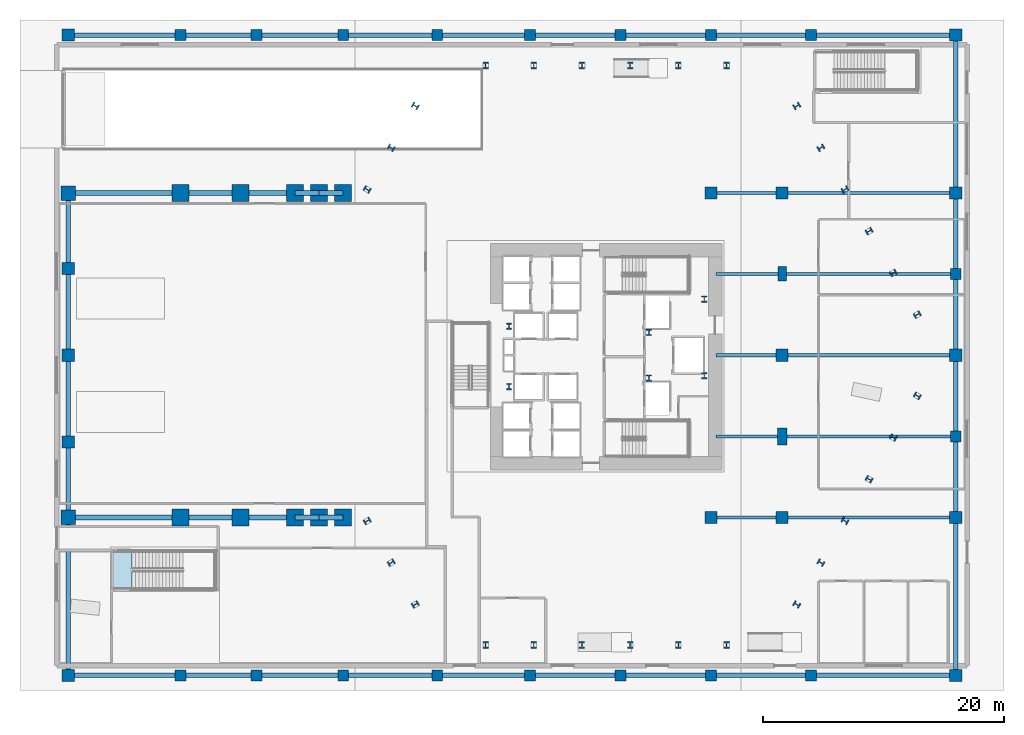
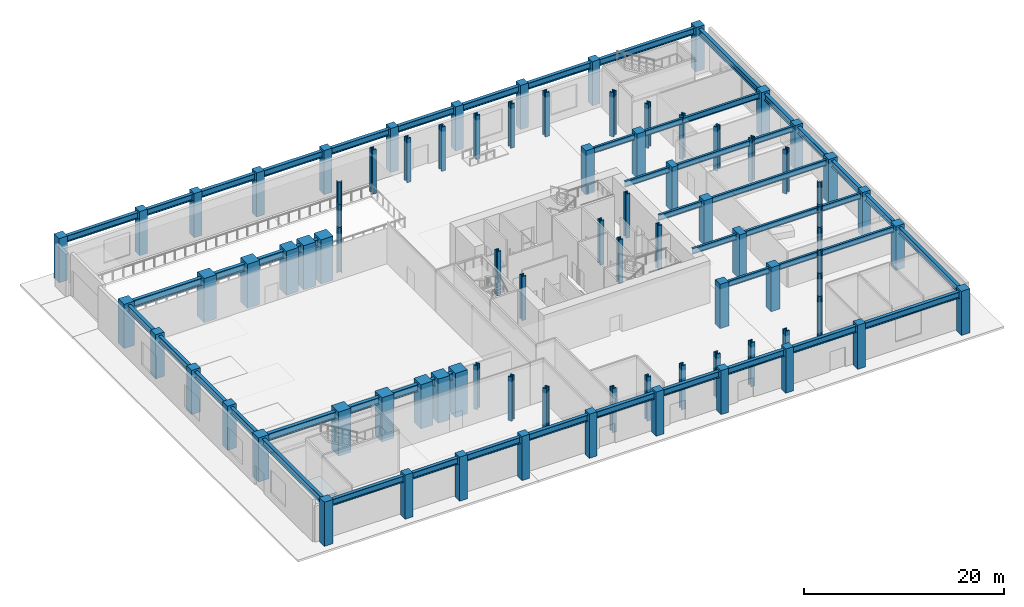
# One storey, part 1 of 18: 83 columns, 28 beams, 1 slab.
"""IFC4 building model written with IfcOpenShell, lengths in metres."""

from ifc_helpers import new_model, si_unit, direction, frame, origin, origin_2d, place, context, subcontext, project, spatial, polyline, rectangle, i_section, outline, extrude, material, layer, layer_set, material_profile, profile_set, type_object, element, save


model = new_model("IFC4")

# Units and contexts
model_context = context("Model", 3, precision=1e-05, world=origin(), true_north=direction((0.0, 1.0)))
body_context = subcontext(model_context, "Body", "Model", "MODEL_VIEW")
ifc_project = project(units=[si_unit("LENGTHUNIT", "METRE"), si_unit("AREAUNIT", "SQUARE_METRE"), si_unit("VOLUMEUNIT", "CUBIC_METRE"), si_unit("PLANEANGLEUNIT", "RADIAN"), si_unit("MASSUNIT", "GRAM", prefix="KILO")], contexts=[model_context])

# Site, building, storey
site_placement = place(None, origin())
site = spatial("IfcSite", under=ifc_project, at=site_placement, CompositionType="ELEMENT")
building_placement = place(site_placement, origin())
building = spatial("IfcBuilding", under=site, at=building_placement, Name="Valkerne Bourse Tower", CompositionType="ELEMENT")
storey_placement = place(building_placement, origin())
storey = spatial("IfcBuildingStorey", under=building, at=storey_placement, Name="L00", CompositionType="ELEMENT", Elevation=0.0)

# Columns
ifc_material_1 = material(Name="Concrete C70/85", Category="concrete")
ifc_material_profile_1 = material_profile(ifc_material_1, rectangle(XDim=1.0, YDim=1.0, at=origin_2d()), Name="RC1000X1000")
ifc_profile_set_1 = profile_set([ifc_material_profile_1], Name="Concrete C70/85")
column_type_1 = type_object("IfcColumnType", Name="COL-RC1000X1000", PredefinedType="COLUMN", material=ifc_profile_set_1)
for number, where, z_axis, x_axis, name in (
    (1, (2.199951171875, 0.449951171875, 0.0048828125), (0.0, 0.0, 1.0), (1.0, 0.0, 0.0), "L00 Podium Column PW-1"),
    (2, (2.199951171875, 19.800048828125, 0.0048828125), (0.0, 0.0, 1.0), (1.0, 0.0, 0.0), "L00 Podium Column PW-3"),
    (3, (2.199951171875, 27.0, 0.0048828125), (0.0, 0.0, 1.0), (1.0, 0.0, 0.0), "L00 Podium Column PW-4"),
    (4, (2.199951171875, 34.199951171875, 0.0048828125), (0.0, 0.0, 1.0), (1.0, 0.0, 0.0), "L00 Podium Column PW-5"),
    (5, (2.199951171875, 53.550048828125, 0.0048828125), (0.0, 0.0, 1.0), (1.0, 0.0, 0.0), "L00 Podium Column PW-7"),
    (6, (75.800048828125, 0.449951171875, 0.0048828125), (0.0, 0.0, 1.0), (1.0, 0.0, 0.0), "L00 Podium Column PS-9"),
    (7, (75.800048828125, 53.550048828125, 0.0048828125), (0.0, 0.0, 1.0), (1.0, 0.0, 0.0), "L00 Podium Column PN-9"),
    (8, (75.800048828125, 13.550048828125, 0.0048828125), (0.0, 0.0, 1.0), (1.0, 0.0, 0.0), "L00 Podium Column PE-1"),
    (9, (75.800048828125, 27.0, 0.0048828125), (0.0, 0.0, 1.0), (1.0, 0.0, 0.0), "L00 Podium Column PE-3"),
    (10, (75.800048828125, 40.449951171875, 0.0048828125), (0.0, 0.0, 1.0), (1.0, 0.0, 0.0), "L00 Podium Column PE-5"),
    (11, (55.5, 13.550048828125, 0.0048828125), (0.0, 0.0, 1.0), (1.0, 0.0, 0.0), "L00 Podium Column PI-C1"),
    (12, (55.5, 40.449951171875, 0.0048828125), (0.0, 0.0, 1.0), (1.0, 0.0, 0.0), "L00 Podium Column PI-C2"),
    (13, (61.39990234375, 13.550048828125, 0.0048828125), (0.0, 0.0, 1.0), (1.0, 0.0, 0.0), "L00 Podium Column PI-E1"),
    (14, (61.39990234375, 27.0, 0.0048828125), (0.0, 0.0, 1.0), (1.0, 0.0, 0.0), "L00 Podium Column PI-E3"),
    (15, (61.39990234375, 40.449951171875, 0.0048828125), (0.0, 0.0, 1.0), (1.0, 0.0, 0.0), "L00 Podium Column PI-E5"),
):
    element("IfcColumn", number, at=place(storey_placement, frame(where, z_axis=z_axis, x_axis=x_axis)), inside=storey, type_object=column_type_1, Name=name, PredefinedType="COLUMN", context=body_context, shape_type="SweptSolid", body=[
        extrude(rectangle(XDim=1.0, YDim=1.0, at=origin_2d()), origin(), (0.0, 0.0, 1.0), 5.39501953125),
    ])
ifc_material_profile_2 = material_profile(ifc_material_1, rectangle(XDim=1.199951171875, YDim=1.199951171875, at=origin_2d()), Name="RC1200X1200")
ifc_profile_set_2 = profile_set([ifc_material_profile_2], Name="Concrete C70/85")
column_type_2 = type_object("IfcColumnType", Name="COL-RC1200X1200", PredefinedType="COLUMN", material=ifc_profile_set_2)
for number, where, z_axis, x_axis, name in (
    (16, (2.199951171875, 13.550048828125, 0.0048828125), (0.0, 0.0, 1.0), (1.0, 0.0, 0.0), "L00 Podium Column PW-2"),
    (17, (2.199951171875, 40.449951171875, 0.0048828125), (0.0, 0.0, 1.0), (1.0, 0.0, 0.0), "L00 Podium Column PW-6"),
):
    element("IfcColumn", number, at=place(storey_placement, frame(where, z_axis=z_axis, x_axis=x_axis)), inside=storey, type_object=column_type_2, Name=name, PredefinedType="COLUMN", context=body_context, shape_type="SweptSolid", body=[
        extrude(rectangle(XDim=1.199951171875, YDim=1.199951171875, at=origin_2d()), origin(), (0.0, 0.0, 1.0), 5.39501953125),
    ])
ifc_material_profile_3 = material_profile(ifc_material_1, rectangle(XDim=1.39990234375, YDim=1.39990234375, at=origin_2d()), Name="RC1400X1400")
ifc_profile_set_3 = profile_set([ifc_material_profile_3], Name="Concrete C70/85")
column_type_3 = type_object("IfcColumnType", Name="COL-RC1400X1400", PredefinedType="COLUMN", material=ifc_profile_set_3)
for number, where, z_axis, x_axis, name in (
    (18, (11.5, 13.550048828125, 0.0048828125), (0.0, 0.0, 1.0), (1.0, 0.0, 0.0), "L00 Podium Column MC-S1"),
    (19, (11.5, 40.449951171875, 0.0048828125), (0.0, 0.0, 1.0), (1.0, 0.0, 0.0), "L00 Podium Column MC-N1"),
    (20, (16.5, 13.550048828125, 0.0048828125), (0.0, 0.0, 1.0), (1.0, 0.0, 0.0), "L00 Podium Column MC-S2"),
    (21, (16.5, 40.449951171875, 0.0048828125), (0.0, 0.0, 1.0), (1.0, 0.0, 0.0), "L00 Podium Column MC-N2"),
    (22, (20.991943359375, 13.550048828125, 0.0048828125), (0.0, 0.0, 1.0), (1.0, 0.0, 0.0), "L00 Podium Column MCH-S1"),
    (23, (20.991943359375, 40.449951171875, 0.0048828125), (0.0, 0.0, 1.0), (1.0, 0.0, 0.0), "L00 Podium Column MCH-N1"),
    (24, (22.990966796875, 13.550048828125, 0.0048828125), (0.0, 0.0, 1.0), (1.0, 0.0, 0.0), "L00 Podium Column MCH-S2"),
    (25, (22.990966796875, 40.449951171875, 0.0048828125), (0.0, 0.0, 1.0), (1.0, 0.0, 0.0), "L00 Podium Column MCH-N2"),
    (26, (24.988037109375, 13.550048828125, 0.0048828125), (0.0, 0.0, 1.0), (1.0, 0.0, 0.0), "L00 Podium Column MCH-S3"),
    (27, (24.988037109375, 40.449951171875, 0.0048828125), (0.0, 0.0, 1.0), (1.0, 0.0, 0.0), "L00 Podium Column MCH-N3"),
):
    element("IfcColumn", number, at=place(storey_placement, frame(where, z_axis=z_axis, x_axis=x_axis)), inside=storey, type_object=column_type_3, Name=name, PredefinedType="COLUMN", context=body_context, shape_type="SweptSolid", body=[
        extrude(rectangle(XDim=1.39990234375, YDim=1.39990234375, at=origin_2d()), origin(), (0.0, 0.0, 1.0), 5.39501953125),
    ])
ifc_material_profile_4 = material_profile(ifc_material_1, rectangle(XDim=0.699951171875, YDim=1.199951171875, at=origin_2d()), Name="RC700X1200")
ifc_profile_set_4 = profile_set([ifc_material_profile_4], Name="Concrete C70/85")
column_type_4 = type_object("IfcColumnType", Name="COL-RC700X1200", PredefinedType="COLUMN", material=ifc_profile_set_4)
column_1_placement = place(storey_placement, frame((61.39990234375, 33.75, 0.0048828125), z_axis=(0.0, 0.0, 1.0), x_axis=(1.0, 0.0, 0.0)))
element("IfcColumn", 28, at=column_1_placement, inside=storey, type_object=column_type_4, Name="L00 Podium Column PI-E4", PredefinedType="COLUMN", context=body_context, shape_type="SweptSolid", body=[
    extrude(rectangle(XDim=0.699951171875, YDim=1.199951171875, at=origin_2d()), origin(), (0.0, 0.0, 1.0), 5.39501953125),
])
ifc_material_profile_5 = material_profile(ifc_material_1, rectangle(XDim=0.800048828125, YDim=1.39990234375, at=origin_2d()), Name="RC800X1400")
ifc_profile_set_5 = profile_set([ifc_material_profile_5], Name="Concrete C70/85")
column_type_5 = type_object("IfcColumnType", Name="COL-RC800X1400", PredefinedType="COLUMN", material=ifc_profile_set_5)
column_2_placement = place(storey_placement, frame((61.39990234375, 20.25, 0.0048828125), z_axis=(0.0, 0.0, 1.0), x_axis=(1.0, 0.0, 0.0)))
element("IfcColumn", 29, at=column_2_placement, inside=storey, type_object=column_type_5, Name="L00 Podium Column PI-E2", PredefinedType="COLUMN", context=body_context, shape_type="SweptSolid", body=[
    extrude(rectangle(XDim=0.800048828125, YDim=1.39990234375, at=origin_2d()), origin(), (0.0, 0.0, 1.0), 5.39501953125),
])
ifc_material_profile_6 = material_profile(ifc_material_1, rectangle(XDim=0.89990234375, YDim=0.89990234375, at=origin_2d()), Name="RC900X900")
ifc_profile_set_6 = profile_set([ifc_material_profile_6], Name="Concrete C70/85")
column_type_6 = type_object("IfcColumnType", Name="COL-RC900X900", PredefinedType="COLUMN", material=ifc_profile_set_6)
for number, where, z_axis, x_axis, name in (
    (30, (11.5, 0.449951171875, 0.0048828125), (0.0, 0.0, 1.0), (1.0, 0.0, 0.0), "L00 Podium Column PS-1"),
    (31, (17.800048828125, 0.449951171875, 0.0048828125), (0.0, 0.0, 1.0), (1.0, 0.0, 0.0), "L00 Podium Column PS-2"),
    (32, (25.0, 0.449951171875, 0.0048828125), (0.0, 0.0, 1.0), (1.0, 0.0, 0.0), "L00 Podium Column PS-3"),
    (33, (32.800048828125, 0.449951171875, 0.0048828125), (0.0, 0.0, 1.0), (1.0, 0.0, 0.0), "L00 Podium Column PS-4"),
    (34, (40.5, 0.449951171875, 0.0048828125), (0.0, 0.0, 1.0), (1.0, 0.0, 0.0), "L00 Podium Column PS-5"),
    (35, (48.0, 0.449951171875, 0.0048828125), (0.0, 0.0, 1.0), (1.0, 0.0, 0.0), "L00 Podium Column PS-6"),
    (36, (55.5, 0.449951171875, 0.0048828125), (0.0, 0.0, 1.0), (1.0, 0.0, 0.0), "L00 Podium Column PS-7"),
    (37, (63.800048828125, 0.449951171875, 0.0048828125), (0.0, 0.0, 1.0), (1.0, 0.0, 0.0), "L00 Podium Column PS-8"),
    (38, (11.5, 53.550048828125, 0.0048828125), (0.0, 0.0, 1.0), (1.0, 0.0, 0.0), "L00 Podium Column PN-1"),
    (39, (17.800048828125, 53.550048828125, 0.0048828125), (0.0, 0.0, 1.0), (1.0, 0.0, 0.0), "L00 Podium Column PN-2"),
    (40, (25.0, 53.550048828125, 0.0048828125), (0.0, 0.0, 1.0), (1.0, 0.0, 0.0), "L00 Podium Column PN-3"),
    (41, (32.800048828125, 53.550048828125, 0.0048828125), (0.0, 0.0, 1.0), (1.0, 0.0, 0.0), "L00 Podium Column PN-4"),
    (42, (40.5, 53.550048828125, 0.0048828125), (0.0, 0.0, 1.0), (1.0, 0.0, 0.0), "L00 Podium Column PN-5"),
    (43, (48.0, 53.550048828125, 0.0048828125), (0.0, 0.0, 1.0), (1.0, 0.0, 0.0), "L00 Podium Column PN-6"),
    (44, (55.5, 53.550048828125, 0.0048828125), (0.0, 0.0, 1.0), (1.0, 0.0, 0.0), "L00 Podium Column PN-7"),
    (45, (63.800048828125, 53.550048828125, 0.0048828125), (0.0, 0.0, 1.0), (1.0, 0.0, 0.0), "L00 Podium Column PN-8"),
    (46, (75.800048828125, 20.25, 0.0048828125), (0.0, 0.0, 1.0), (1.0, 0.0, 0.0), "L00 Podium Column PE-2"),
    (47, (75.800048828125, 33.75, 0.0048828125), (0.0, 0.0, 1.0), (1.0, 0.0, 0.0), "L00 Podium Column PE-4"),
):
    element("IfcColumn", number, at=place(storey_placement, frame(where, z_axis=z_axis, x_axis=x_axis)), inside=storey, type_object=column_type_6, Name=name, PredefinedType="COLUMN", context=body_context, shape_type="SweptSolid", body=[
        extrude(rectangle(XDim=0.89990234375, YDim=0.89990234375, at=origin_2d()), origin(), (0.0, 0.0, 1.0), 5.39501953125),
    ])
ifc_material_2 = material(Name="Steel ASTM A913 Grade 65", Category="steel")
ifc_material_profile_7 = material_profile(ifc_material_2, i_section(OverallWidth=0.44189453125, OverallDepth=0.531005859375, WebThickness=0.06591796875, FlangeThickness=0.105712890625, FilletRadius=0.030517578125, at=origin_2d()), Name="W14X605")
ifc_profile_set_7 = profile_set([ifc_material_profile_7], Name="Steel ASTM A913 Grade 65")
column_type_7 = type_object("IfcColumnType", Name="COL-W14X605", PredefinedType="COLUMN", material=ifc_profile_set_7)
for number, where, z_axis, x_axis, name in (
    (48, (38.75, 24.39990234375, 0.0048828125), (0.0, 0.0, 1.0), (1.0, 0.0, 0.0), "L00 Core Frame Column CC-SW"),
    (49, (38.75, 29.39990234375, 0.0048828125), (0.0, 0.0, 1.0), (1.0, 0.0, 0.0), "L00 Core Frame Column CC-NW"),
    (50, (50.35009765625, 25.10009765625, 0.0048828125), (0.0, 0.0, 1.0), (1.0, 0.0, 0.0), "L00 Core Frame Column CC-CE1"),
    (51, (50.35009765625, 28.89990234375, 0.0048828125), (0.0, 0.0, 1.0), (1.0, 0.0, 0.0), "L00 Core Frame Column CC-CE2"),
    (52, (54.949951171875, 25.300048828125, 0.0048828125), (0.0, 0.0, 1.0), (1.0, 0.0, 0.0), "L00 Core Frame Column CC-SE"),
    (53, (54.949951171875, 31.64990234375, 0.0048828125), (0.0, 0.0, 1.0), (1.0, 0.0, 0.0), "L00 Core Frame Column CC-NE"),
):
    element("IfcColumn", number, at=place(storey_placement, frame(where, z_axis=z_axis, x_axis=x_axis)), inside=storey, type_object=column_type_7, Name=name, PredefinedType="COLUMN", context=body_context, shape_type="SweptSolid", body=[
        extrude(i_section(OverallWidth=0.44189453125, OverallDepth=0.531005859375, WebThickness=0.06591796875, FlangeThickness=0.105712890625, FilletRadius=0.030517578125, at=origin_2d()), origin(), (0.0, 0.0, 1.0), 5.39501953125),
    ])
ifc_material_profile_8 = material_profile(ifc_material_2, i_section(OverallWidth=0.45458984375, OverallDepth=0.569091796875, WebThickness=0.077880859375, FlangeThickness=0.124755859375, FilletRadius=0.030517578125, at=origin_2d()), Name="W14X730")
ifc_profile_set_8 = profile_set([ifc_material_profile_8], Name="Steel ASTM A913 Grade 65")
column_type_8 = type_object("IfcColumnType", Name="COL-W14X730", PredefinedType="COLUMN", material=ifc_profile_set_8)
for number, where, z_axis, x_axis, name in (
    (54, (72.607421875, 30.364501953125, 0.0048828125), (0.0, 0.0, 1.0), (-0.5, 0.866025403784, 0.0), "L00 Tower Base Mega-Column Z1B-00"),
    (55, (70.609619140625, 33.8251953125, 0.0048828125), (0.0, 0.0, 1.0), (-0.5, 0.866025403784, 0.0), "L00 Tower Base Mega-Column Z1B-01"),
    (56, (68.611572265625, 37.285888671875, 0.0048828125), (0.0, 0.0, 1.0), (-0.5, 0.866025403784, 0.0), "L00 Tower Base Mega-Column Z1B-02"),
    (57, (66.613525390625, 40.746337890625, 0.0048828125), (0.0, 0.0, 1.0), (-0.5, 0.866025403784, 0.0), "L00 Tower Base Mega-Column Z1B-03"),
    (58, (64.615478515625, 44.20703125, 0.0048828125), (0.0, 0.0, 1.0), (-0.5, 0.866025403784, 0.0), "L00 Tower Base Mega-Column Z1B-04"),
    (59, (62.617431640625, 47.667724609375, 0.0048828125), (0.0, 0.0, 1.0), (-0.5, 0.866025403784, 0.0), "L00 Tower Base Mega-Column Z1B-05"),
    (60, (56.7900390625, 51.0322265625, 0.0048828125), (0.0, 0.0, 1.0), (-1.0, 0.0, 0.0), "L00 Tower Base Mega-Column Z1B-06"),
    (61, (52.7939453125, 51.0322265625, 0.0048828125), (0.0, 0.0, 1.0), (-1.0, 0.0, 0.0), "L00 Tower Base Mega-Column Z1B-07"),
    (62, (48.798095703125, 51.0322265625, 0.0048828125), (0.0, 0.0, 1.0), (-1.0, 0.0, 0.0), "L00 Tower Base Mega-Column Z1B-08"),
    (63, (44.802001953125, 51.0322265625, 0.0048828125), (0.0, 0.0, 1.0), (-1.0, 0.0, 0.0), "L00 Tower Base Mega-Column Z1B-09"),
    (64, (40.805908203125, 51.0322265625, 0.0048828125), (0.0, 0.0, 1.0), (-1.0, 0.0, 0.0), "L00 Tower Base Mega-Column Z1B-10"),
    (65, (36.81005859375, 51.0322265625, 0.0048828125), (0.0, 0.0, 1.0), (-1.0, 0.0, 0.0), "L00 Tower Base Mega-Column Z1B-11"),
    (66, (30.982421875, 47.667724609375, 0.0048828125), (0.0, 0.0, 1.0), (-0.5, -0.866025403784, 0.0), "L00 Tower Base Mega-Column Z1B-12"),
    (67, (28.984619140625, 44.20703125, 0.0048828125), (0.0, 0.0, 1.0), (-0.5, -0.866025403784, 0.0), "L00 Tower Base Mega-Column Z1B-13"),
    (68, (26.986572265625, 40.746337890625, 0.0048828125), (0.0, 0.0, 1.0), (-0.5, -0.866025403784, 0.0), "L00 Tower Base Mega-Column Z1B-14"),
    (69, (26.986572265625, 13.253662109375, 0.0048828125), (0.0, 0.0, 1.0), (0.5, -0.866025403784, 0.0), "L00 Tower Base Mega-Column Z1B-21"),
    (70, (36.81005859375, 2.9677734375, 0.0048828125), (0.0, 0.0, 1.0), (1.0, 0.0, 0.0), "L00 Tower Base Mega-Column Z1B-24"),
    (71, (40.805908203125, 2.9677734375, 0.0048828125), (0.0, 0.0, 1.0), (1.0, 0.0, 0.0), "L00 Tower Base Mega-Column Z1B-25"),
    (72, (44.802001953125, 2.9677734375, 0.0048828125), (0.0, 0.0, 1.0), (1.0, 0.0, 0.0), "L00 Tower Base Mega-Column Z1B-26"),
    (73, (48.798095703125, 2.9677734375, 0.0048828125), (0.0, 0.0, 1.0), (1.0, 0.0, 0.0), "L00 Tower Base Mega-Column Z1B-27"),
    (74, (52.7939453125, 2.9677734375, 0.0048828125), (0.0, 0.0, 1.0), (1.0, 0.0, 0.0), "L00 Tower Base Mega-Column Z1B-28"),
    (75, (56.7900390625, 2.9677734375, 0.0048828125), (0.0, 0.0, 1.0), (1.0, 0.0, 0.0), "L00 Tower Base Mega-Column Z1B-29"),
    (76, (66.613525390625, 13.253662109375, 0.0048828125), (0.0, 0.0, 1.0), (0.5, 0.866025403784, 0.0), "L00 Tower Base Mega-Column Z1B-32"),
    (77, (68.611572265625, 16.714111328125, 0.0048828125), (0.0, 0.0, 1.0), (0.5, 0.866025403784, 0.0), "L00 Tower Base Mega-Column Z1B-33"),
    (78, (70.609619140625, 20.1748046875, 0.0048828125), (0.0, 0.0, 1.0), (0.5, 0.866025403784, 0.0), "L00 Tower Base Mega-Column Z1B-34"),
    (79, (72.607421875, 23.635498046875, 0.0048828125), (0.0, 0.0, 1.0), (0.5, 0.866025403784, 0.0), "L00 Tower Base Mega-Column Z1B-35"),
):
    element("IfcColumn", number, at=place(storey_placement, frame(where, z_axis=z_axis, x_axis=x_axis)), inside=storey, type_object=column_type_8, Name=name, PredefinedType="COLUMN", context=body_context, shape_type="SweptSolid", body=[
        extrude(i_section(OverallWidth=0.45458984375, OverallDepth=0.569091796875, WebThickness=0.077880859375, FlangeThickness=0.124755859375, FilletRadius=0.030517578125, at=origin_2d()), origin(), (0.0, 0.0, 1.0), 5.39013671875),
    ])
for number, where, z_axis, x_axis, name in (
    (80, (28.984619140625, 9.79296875, 0.0), (0.0, 0.0, 1.0), (0.5, -0.866025403784, 0.0), "L00 Tower Base Mega-Column Z1B-22"),
    (81, (30.982421875, 6.332275390625, 0.0), (0.0, 0.0, 1.0), (0.5, -0.866025403784, 0.0), "L00 Tower Base Mega-Column Z1B-23"),
    (82, (62.617431640625, 6.332275390625, 0.0), (0.0, 0.0, 1.0), (0.5, 0.866025403784, 0.0), "L00 Tower Base Mega-Column Z1B-30"),
    (83, (64.615478515625, 9.79296875, 0.0), (0.0, 0.0, 1.0), (0.5, 0.866025403784, 0.0), "L00 Tower Base Mega-Column Z1B-31"),
):
    element("IfcColumn", number, at=place(storey_placement, frame(where, z_axis=z_axis, x_axis=x_axis)), inside=storey, type_object=column_type_8, Name=name, PredefinedType="COLUMN", context=body_context, shape_type="SweptSolid", body=[
        extrude(i_section(OverallWidth=0.45458984375, OverallDepth=0.569091796875, WebThickness=0.077880859375, FlangeThickness=0.124755859375, FilletRadius=0.030517578125, at=origin_2d()), origin(), (0.0, 0.0, 1.0), 5.39501953125),
    ])

# Beams
ifc_material_3 = material(Name="Steel ASTM A992", Category="steel")
ifc_material_profile_9 = material_profile(ifc_material_3, i_section(OverallWidth=0.255859375, OverallDepth=0.693359375, WebThickness=0.014404296875, FlangeThickness=0.023681640625, FilletRadius=0.02294921875, at=origin_2d()), Name="W27X114")
ifc_profile_set_9 = profile_set([ifc_material_profile_9], Name="Steel ASTM A992")
beam_type_1 = type_object("IfcBeamType", Name="BM-W27X114", PredefinedType="BEAM", material=ifc_profile_set_9)
beam_1_placement = place(storey_placement, frame((55.5, 13.550048828125, 4.813232421875), z_axis=(1.0, 0.0, 0.0), x_axis=(0.0, 1.0, 0.0)))
element("IfcBeam", 84, at=beam_1_placement, inside=storey, type_object=beam_type_1, Name="L00 East Wing Floor Girder 1 Y13", PredefinedType="BEAM", context=body_context, shape_type="SweptSolid", body=[
    extrude(i_section(OverallWidth=0.255859375, OverallDepth=0.693359375, WebThickness=0.014404296875, FlangeThickness=0.023681640625, FilletRadius=0.02294921875, at=origin_2d()), origin(), (0.0, 0.0, 1.0), 5.89990234375),
])
beam_2_placement = place(storey_placement, frame((61.39990234375, 13.550048828125, 4.813232421875), z_axis=(1.0, 0.0, 0.0), x_axis=(0.0, 1.0, 0.0)))
element("IfcBeam", 85, at=beam_2_placement, inside=storey, type_object=beam_type_1, Name="L00 East Wing Floor Girder 2 Y13", PredefinedType="BEAM", context=body_context, shape_type="SweptSolid", body=[
    extrude(i_section(OverallWidth=0.255859375, OverallDepth=0.693359375, WebThickness=0.014404296875, FlangeThickness=0.023681640625, FilletRadius=0.02294921875, at=origin_2d()), origin(), (0.0, 0.0, 1.0), 14.400146484375),
])
beam_3_placement = place(storey_placement, frame((55.89990234375, 20.25, 4.813232421875), z_axis=(1.0, 0.0, 0.0), x_axis=(0.0, 1.0, 0.0)))
element("IfcBeam", 86, at=beam_3_placement, inside=storey, type_object=beam_type_1, Name="L00 East Wing Floor Girder 1 Y20", PredefinedType="BEAM", context=body_context, shape_type="SweptSolid", body=[
    extrude(i_section(OverallWidth=0.255859375, OverallDepth=0.693359375, WebThickness=0.014404296875, FlangeThickness=0.023681640625, FilletRadius=0.02294921875, at=origin_2d()), origin(), (0.0, 0.0, 1.0), 5.5),
])
beam_4_placement = place(storey_placement, frame((61.39990234375, 20.25, 4.813232421875), z_axis=(1.0, 0.0, 0.0), x_axis=(0.0, 1.0, 0.0)))
element("IfcBeam", 87, at=beam_4_placement, inside=storey, type_object=beam_type_1, Name="L00 East Wing Floor Girder 2 Y20", PredefinedType="BEAM", context=body_context, shape_type="SweptSolid", body=[
    extrude(i_section(OverallWidth=0.255859375, OverallDepth=0.693359375, WebThickness=0.014404296875, FlangeThickness=0.023681640625, FilletRadius=0.02294921875, at=origin_2d()), origin(), (0.0, 0.0, 1.0), 14.400146484375),
])
beam_5_placement = place(storey_placement, frame((55.89990234375, 27.0, 4.813232421875), z_axis=(1.0, 0.0, 0.0), x_axis=(0.0, 1.0, 0.0)))
element("IfcBeam", 88, at=beam_5_placement, inside=storey, type_object=beam_type_1, Name="L00 East Wing Floor Girder 1 Y27", PredefinedType="BEAM", context=body_context, shape_type="SweptSolid", body=[
    extrude(i_section(OverallWidth=0.255859375, OverallDepth=0.693359375, WebThickness=0.014404296875, FlangeThickness=0.023681640625, FilletRadius=0.02294921875, at=origin_2d()), origin(), (0.0, 0.0, 1.0), 5.5),
])
beam_6_placement = place(storey_placement, frame((61.39990234375, 27.0, 4.813232421875), z_axis=(1.0, 0.0, 0.0), x_axis=(0.0, 1.0, 0.0)))
element("IfcBeam", 89, at=beam_6_placement, inside=storey, type_object=beam_type_1, Name="L00 East Wing Floor Girder 2 Y27", PredefinedType="BEAM", context=body_context, shape_type="SweptSolid", body=[
    extrude(i_section(OverallWidth=0.255859375, OverallDepth=0.693359375, WebThickness=0.014404296875, FlangeThickness=0.023681640625, FilletRadius=0.02294921875, at=origin_2d()), origin(), (0.0, 0.0, 1.0), 14.400146484375),
])
beam_7_placement = place(storey_placement, frame((55.89990234375, 33.75, 4.813232421875), z_axis=(1.0, 0.0, 0.0), x_axis=(0.0, 1.0, 0.0)))
element("IfcBeam", 90, at=beam_7_placement, inside=storey, type_object=beam_type_1, Name="L00 East Wing Floor Girder 1 Y33", PredefinedType="BEAM", context=body_context, shape_type="SweptSolid", body=[
    extrude(i_section(OverallWidth=0.255859375, OverallDepth=0.693359375, WebThickness=0.014404296875, FlangeThickness=0.023681640625, FilletRadius=0.02294921875, at=origin_2d()), origin(), (0.0, 0.0, 1.0), 5.5),
])
beam_8_placement = place(storey_placement, frame((61.39990234375, 33.75, 4.813232421875), z_axis=(1.0, 0.0, 0.0), x_axis=(0.0, 1.0, 0.0)))
element("IfcBeam", 91, at=beam_8_placement, inside=storey, type_object=beam_type_1, Name="L00 East Wing Floor Girder 2 Y33", PredefinedType="BEAM", context=body_context, shape_type="SweptSolid", body=[
    extrude(i_section(OverallWidth=0.255859375, OverallDepth=0.693359375, WebThickness=0.014404296875, FlangeThickness=0.023681640625, FilletRadius=0.02294921875, at=origin_2d()), origin(), (0.0, 0.0, 1.0), 14.400146484375),
])
beam_9_placement = place(storey_placement, frame((55.5, 40.449951171875, 4.813232421875), z_axis=(1.0, 0.0, 0.0), x_axis=(0.0, 1.0, 0.0)))
element("IfcBeam", 92, at=beam_9_placement, inside=storey, type_object=beam_type_1, Name="L00 East Wing Floor Girder 1 Y40", PredefinedType="BEAM", context=body_context, shape_type="SweptSolid", body=[
    extrude(i_section(OverallWidth=0.255859375, OverallDepth=0.693359375, WebThickness=0.014404296875, FlangeThickness=0.023681640625, FilletRadius=0.02294921875, at=origin_2d()), origin(), (0.0, 0.0, 1.0), 5.89990234375),
])
beam_10_placement = place(storey_placement, frame((61.39990234375, 40.449951171875, 4.813232421875), z_axis=(1.0, 0.0, 0.0), x_axis=(0.0, 1.0, 0.0)))
element("IfcBeam", 93, at=beam_10_placement, inside=storey, type_object=beam_type_1, Name="L00 East Wing Floor Girder 2 Y40", PredefinedType="BEAM", context=body_context, shape_type="SweptSolid", body=[
    extrude(i_section(OverallWidth=0.255859375, OverallDepth=0.693359375, WebThickness=0.014404296875, FlangeThickness=0.023681640625, FilletRadius=0.02294921875, at=origin_2d()), origin(), (0.0, 0.0, 1.0), 14.400146484375),
])
ifc_material_profile_10 = material_profile(ifc_material_3, i_section(OverallWidth=0.383544921875, OverallDepth=0.784912109375, WebThickness=0.019775390625, FlangeThickness=0.033447265625, FilletRadius=0.025390625, at=origin_2d()), Name="W30X211")
ifc_profile_set_10 = profile_set([ifc_material_profile_10], Name="Steel ASTM A992")
beam_type_2 = type_object("IfcBeamType", Name="BM-W30X211", PredefinedType="SPANDREL", material=ifc_profile_set_10)
beam_11_placement = place(storey_placement, frame((2.199951171875, 0.449951171875, 4.767578125), z_axis=(1.0, 0.0, 0.0), x_axis=(0.0, 1.0, 0.0)))
element("IfcBeam", 94, at=beam_11_placement, inside=storey, type_object=beam_type_2, Name="L00 Podium Spandrel Girder S1", PredefinedType="SPANDREL", context=body_context, shape_type="SweptSolid", body=[
    extrude(i_section(OverallWidth=0.383544921875, OverallDepth=0.784912109375, WebThickness=0.019775390625, FlangeThickness=0.033447265625, FilletRadius=0.025390625, at=origin_2d()), origin(), (0.0, 0.0, 1.0), 22.800048828125),
])
beam_12_placement = place(storey_placement, frame((25.0, 0.449951171875, 4.767578125), z_axis=(1.0, 0.0, 0.0), x_axis=(0.0, 1.0, 0.0)))
element("IfcBeam", 95, at=beam_12_placement, inside=storey, type_object=beam_type_2, Name="L00 Podium Spandrel Girder S2", PredefinedType="SPANDREL", context=body_context, shape_type="SweptSolid", body=[
    extrude(i_section(OverallWidth=0.383544921875, OverallDepth=0.784912109375, WebThickness=0.019775390625, FlangeThickness=0.033447265625, FilletRadius=0.025390625, at=origin_2d()), origin(), (0.0, 0.0, 1.0), 23.0),
])
beam_13_placement = place(storey_placement, frame((48.0, 0.449951171875, 4.767578125), z_axis=(1.0, 0.0, 0.0), x_axis=(0.0, 1.0, 0.0)))
element("IfcBeam", 96, at=beam_13_placement, inside=storey, type_object=beam_type_2, Name="L00 Podium Spandrel Girder S3", PredefinedType="SPANDREL", context=body_context, shape_type="SweptSolid", body=[
    extrude(i_section(OverallWidth=0.383544921875, OverallDepth=0.784912109375, WebThickness=0.019775390625, FlangeThickness=0.033447265625, FilletRadius=0.025390625, at=origin_2d()), origin(), (0.0, 0.0, 1.0), 27.800048828125),
])
beam_14_placement = place(storey_placement, frame((2.199951171875, 53.550048828125, 4.767578125), z_axis=(1.0, 0.0, 0.0), x_axis=(0.0, 1.0, 0.0)))
element("IfcBeam", 97, at=beam_14_placement, inside=storey, type_object=beam_type_2, Name="L00 Podium Spandrel Girder N1", PredefinedType="SPANDREL", context=body_context, shape_type="SweptSolid", body=[
    extrude(i_section(OverallWidth=0.383544921875, OverallDepth=0.784912109375, WebThickness=0.019775390625, FlangeThickness=0.033447265625, FilletRadius=0.025390625, at=origin_2d()), origin(), (0.0, 0.0, 1.0), 38.300048828125),
])
beam_15_placement = place(storey_placement, frame((40.5, 53.550048828125, 4.767578125), z_axis=(1.0, 0.0, 0.0), x_axis=(0.0, 1.0, 0.0)))
element("IfcBeam", 98, at=beam_15_placement, inside=storey, type_object=beam_type_2, Name="L00 Podium Spandrel Girder N2", PredefinedType="SPANDREL", context=body_context, shape_type="SweptSolid", body=[
    extrude(i_section(OverallWidth=0.383544921875, OverallDepth=0.784912109375, WebThickness=0.019775390625, FlangeThickness=0.033447265625, FilletRadius=0.025390625, at=origin_2d()), origin(), (0.0, 0.0, 1.0), 35.300048828125),
])
for number, where, z_axis, x_axis, name in (
    (99, (75.800048828125, 0.449951171875, 4.767578125), (0.0, 1.0, 0.0), (-1.0, 0.0, 0.0), "L00 Podium Spandrel Girder E1"),
    (100, (75.800048828125, 27.0, 4.767578125), (0.0, 1.0, 0.0), (-1.0, 0.0, 0.0), "L00 Podium Spandrel Girder E2"),
):
    element("IfcBeam", number, at=place(storey_placement, frame(where, z_axis=z_axis, x_axis=x_axis)), inside=storey, type_object=beam_type_2, Name=name, PredefinedType="SPANDREL", context=body_context, shape_type="SweptSolid", body=[
        extrude(i_section(OverallWidth=0.383544921875, OverallDepth=0.784912109375, WebThickness=0.019775390625, FlangeThickness=0.033447265625, FilletRadius=0.025390625, at=origin_2d()), origin(), (0.0, 0.0, 1.0), 26.550048828125),
    ])
beam_16_placement = place(storey_placement, frame((2.199951171875, 0.449951171875, 4.767578125), z_axis=(0.0, 1.0, 0.0), x_axis=(-1.0, 0.0, 0.0)))
element("IfcBeam", 101, at=beam_16_placement, inside=storey, type_object=beam_type_2, Name="L00 Podium Spandrel Girder W1", PredefinedType="SPANDREL", context=body_context, shape_type="SweptSolid", body=[
    extrude(i_section(OverallWidth=0.383544921875, OverallDepth=0.784912109375, WebThickness=0.019775390625, FlangeThickness=0.033447265625, FilletRadius=0.025390625, at=origin_2d()), origin(), (0.0, 0.0, 1.0), 40.0),
])
ifc_material_profile_11 = material_profile(ifc_material_3, i_section(OverallWidth=0.40380859375, OverallDepth=0.86865234375, WebThickness=0.02099609375, FlangeThickness=0.03564453125, FilletRadius=0.025390625, at=origin_2d()), Name="W33X241")
ifc_profile_set_11 = profile_set([ifc_material_profile_11], Name="Steel ASTM A992")
beam_type_3 = type_object("IfcBeamType", Name="BM-W33X241", PredefinedType="BEAM", material=ifc_profile_set_11)
for number, where, z_axis, x_axis, name in (
    (102, (2.199951171875, 13.550048828125, 4.7255859375), (1.0, 0.0, 0.0), (0.0, 1.0, 0.0), "L00 Exchange Hall South Frame Girder 1"),
    (103, (2.199951171875, 40.449951171875, 4.7255859375), (1.0, 0.0, 0.0), (0.0, 1.0, 0.0), "L00 Exchange Hall North Frame Girder 1"),
):
    element("IfcBeam", number, at=place(storey_placement, frame(where, z_axis=z_axis, x_axis=x_axis)), inside=storey, type_object=beam_type_3, Name=name, PredefinedType="BEAM", context=body_context, shape_type="SweptSolid", body=[
        extrude(i_section(OverallWidth=0.40380859375, OverallDepth=0.86865234375, WebThickness=0.02099609375, FlangeThickness=0.03564453125, FilletRadius=0.025390625, at=origin_2d()), origin(), (0.0, 0.0, 1.0), 9.300048828125),
    ])
for number, where, z_axis, x_axis, name in (
    (104, (11.5, 13.550048828125, 4.7255859375), (1.0, 0.0, 0.0), (0.0, 1.0, 0.0), "L00 Exchange Hall South Frame Girder 2"),
    (105, (11.5, 40.449951171875, 4.7255859375), (1.0, 0.0, 0.0), (0.0, 1.0, 0.0), "L00 Exchange Hall North Frame Girder 2"),
):
    element("IfcBeam", number, at=place(storey_placement, frame(where, z_axis=z_axis, x_axis=x_axis)), inside=storey, type_object=beam_type_3, Name=name, PredefinedType="BEAM", context=body_context, shape_type="SweptSolid", body=[
        extrude(i_section(OverallWidth=0.40380859375, OverallDepth=0.86865234375, WebThickness=0.02099609375, FlangeThickness=0.03564453125, FilletRadius=0.025390625, at=origin_2d()), origin(), (0.0, 0.0, 1.0), 5.0),
    ])
for number, where, z_axis, x_axis, name in (
    (106, (16.5, 13.550048828125, 4.7255859375), (1.0, 0.0, 0.0), (0.0, 1.0, 0.0), "L00 Exchange Hall South Frame Girder 3"),
    (107, (16.5, 40.449951171875, 4.7255859375), (1.0, 0.0, 0.0), (0.0, 1.0, 0.0), "L00 Exchange Hall North Frame Girder 3"),
):
    element("IfcBeam", number, at=place(storey_placement, frame(where, z_axis=z_axis, x_axis=x_axis)), inside=storey, type_object=beam_type_3, Name=name, PredefinedType="BEAM", context=body_context, shape_type="SweptSolid", body=[
        extrude(i_section(OverallWidth=0.40380859375, OverallDepth=0.86865234375, WebThickness=0.02099609375, FlangeThickness=0.03564453125, FilletRadius=0.025390625, at=origin_2d()), origin(), (0.0, 0.0, 1.0), 4.491943359375),
    ])
for number, where, z_axis, x_axis, name in (
    (108, (20.991943359375, 13.550048828125, 4.7255859375), (1.0, 0.0, 0.0), (0.0, 1.0, 0.0), "L00 Exchange Hall South Frame Girder 4"),
    (109, (20.991943359375, 40.449951171875, 4.7255859375), (1.0, 0.0, 0.0), (0.0, 1.0, 0.0), "L00 Exchange Hall North Frame Girder 4"),
):
    element("IfcBeam", number, at=place(storey_placement, frame(where, z_axis=z_axis, x_axis=x_axis)), inside=storey, type_object=beam_type_3, Name=name, PredefinedType="BEAM", context=body_context, shape_type="SweptSolid", body=[
        extrude(i_section(OverallWidth=0.40380859375, OverallDepth=0.86865234375, WebThickness=0.02099609375, FlangeThickness=0.03564453125, FilletRadius=0.025390625, at=origin_2d()), origin(), (0.0, 0.0, 1.0), 1.9990234375),
    ])
for number, where, z_axis, x_axis, name in (
    (110, (22.990966796875, 13.550048828125, 4.7255859375), (1.0, 0.0, 0.0), (0.0, 1.0, 0.0), "L00 Exchange Hall South Frame Girder 5"),
    (111, (22.990966796875, 40.449951171875, 4.7255859375), (1.0, 0.0, 0.0), (0.0, 1.0, 0.0), "L00 Exchange Hall North Frame Girder 5"),
):
    element("IfcBeam", number, at=place(storey_placement, frame(where, z_axis=z_axis, x_axis=x_axis)), inside=storey, type_object=beam_type_3, Name=name, PredefinedType="BEAM", context=body_context, shape_type="SweptSolid", body=[
        extrude(i_section(OverallWidth=0.40380859375, OverallDepth=0.86865234375, WebThickness=0.02099609375, FlangeThickness=0.03564453125, FilletRadius=0.025390625, at=origin_2d()), origin(), (0.0, 0.0, 1.0), 1.9970703125),
    ])

# Slab
ifc_material_4 = material(Name="Concrete C40/50", Category="concrete")
ifc_layer = layer(ifc_material_4, 0.25)
ifc_layer_set = layer_set([ifc_layer], Name="Concrete C40/50")
slab_type = type_object("IfcSlabType", Name="SLB-RMP-LND-250", PredefinedType="LANDING", material=ifc_layer_set)
slab_placement = place(storey_placement, frame((0.0, 0.0, -0.239990234375)))
element("IfcSlab", 112, at=slab_placement, inside=storey, type_object=slab_type, Name="L00 ST-P1 Floor Landing Slab", PredefinedType="LANDING", context=body_context, shape_type="SweptSolid", body=[
    extrude(outline(polyline([(5.919921875, 7.5400390625), (7.5, 7.5400390625), (7.5, 10.81005859375), (5.919921875, 10.81005859375), (5.919921875, 7.5400390625)])), origin(), (0.0, 0.0, 1.0), 0.239990234375),
])

save(model, "model.ifc")
